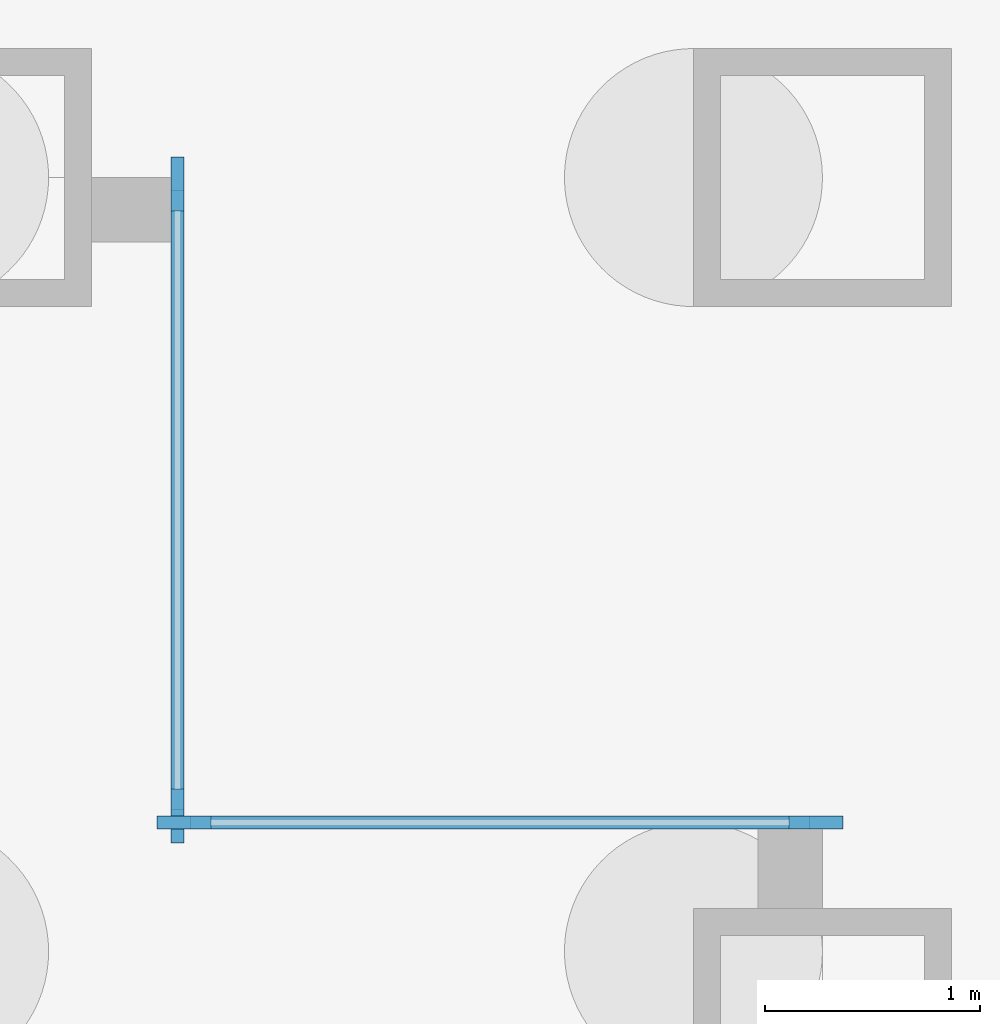
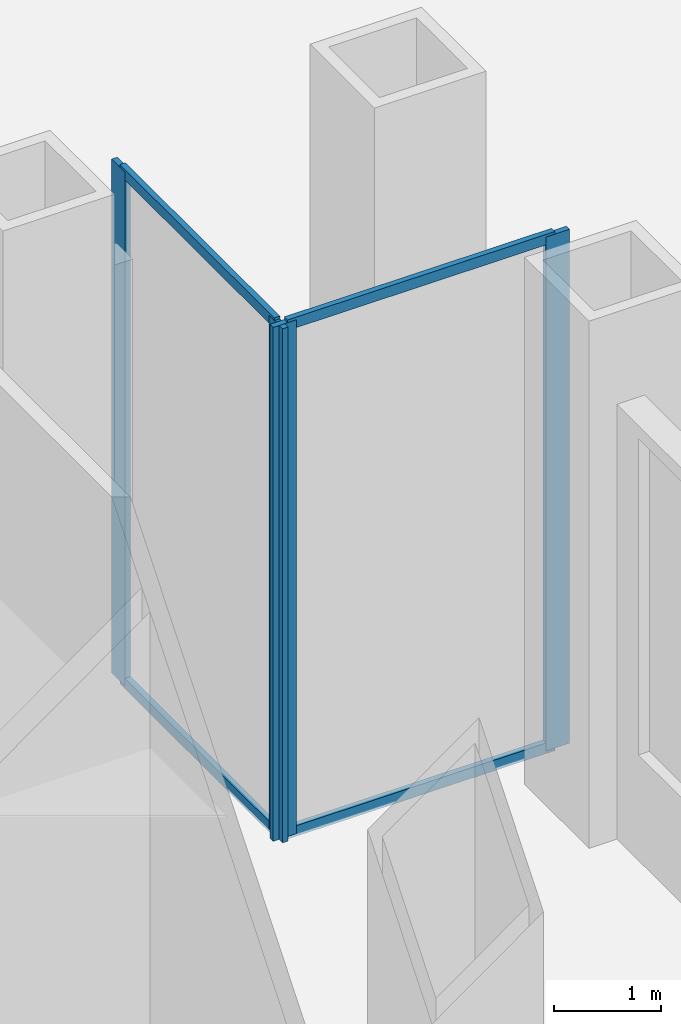
# One storey, part 10 of 17: 8 members, 2 elements without a shape of their own.
"""IFC4 building model written with IfcOpenShell, lengths in metres."""

from ifc_helpers import new_model, si_unit, direction, frame, origin, origin_2d, place, context, subcontext, project, spatial, rectangle, extrude, material, material_profile, profile_set, type_object, element, aggregate, save


model = new_model("IFC4")

# Units and contexts
model_context = context("Model", 3, precision=1e-05, world=origin(), true_north=direction((0.0, 1.0)))
body_context = subcontext(model_context, "Body", "Model", "MODEL_VIEW")
ifc_project = project(units=[si_unit("LENGTHUNIT", "METRE"), si_unit("AREAUNIT", "SQUARE_METRE"), si_unit("VOLUMEUNIT", "CUBIC_METRE"), si_unit("PLANEANGLEUNIT", "RADIAN"), si_unit("MASSUNIT", "GRAM", prefix="KILO")], contexts=[model_context])

# Site, building, storey
site_placement = place(None, origin())
site = spatial("IfcSite", under=ifc_project, at=site_placement, CompositionType="ELEMENT")
building_placement = place(site_placement, origin())
building = spatial("IfcBuilding", under=site, at=building_placement, Name="Rimbunsela Tower", CompositionType="ELEMENT")
storey_placement = place(building_placement, origin())
storey = spatial("IfcBuildingStorey", under=building, at=storey_placement, Name="L00", CompositionType="ELEMENT", Elevation=0.0)

# Curtain wall, members
ifc_material_1 = material(Name="Aluminium curtain wall", Category="aluminium")
curtain_wall_type = type_object("IfcCurtainWallType", Name="Corner glazing", PredefinedType="USERDEFINED", material=ifc_material_1)
curtain_wall_1_placement = place(storey_placement, origin())
curtain_wall_1 = element("IfcCurtainWall", 1, at=curtain_wall_1_placement, inside=storey, type_object=curtain_wall_type, Name="Corner glazing L00", ObjectType="CORNER GLAZING", PredefinedType="USERDEFINED")
ifc_material_2 = material(Name="Aluminium mullion", Category="aluminium")
ifc_material_profile_1 = material_profile(ifc_material_2, rectangle(XDim=0.06005859375, YDim=0.25, at=origin_2d()), Name="Mullion 60x250")
ifc_profile_set_1 = profile_set([ifc_material_profile_1], Name="Aluminium mullion")
member_type_1 = type_object("IfcMemberType", Name="Curtain wall mullion 60x250", PredefinedType="MULLION", material=ifc_profile_set_1)
member_1_placement = place(storey_placement, frame((49.969970703125, 41.0, 0.0), z_axis=(0.0, 0.0, 1.0), x_axis=(0.0, -1.0, 0.0)))
member_1 = element("IfcMember", 2, at=member_1_placement, type_object=member_type_1, Name="CW5 mullion 1", PredefinedType="MULLION", context=body_context, shape_type="SweptSolid", body=[
    extrude(rectangle(XDim=0.06005859375, YDim=0.25, at=origin_2d()), origin(), (0.0, 0.0, 1.0), 5.85009765625),
])
member_2_placement = place(storey_placement, frame((47.030029296875, 41.0, 0.0), z_axis=(0.0, 0.0, 1.0), x_axis=(0.0, -1.0, 0.0)))
member_2 = element("IfcMember", 3, at=member_2_placement, type_object=member_type_1, Name="CW5 mullion 2", PredefinedType="MULLION", context=body_context, shape_type="SweptSolid", body=[
    extrude(rectangle(XDim=0.06005859375, YDim=0.25, at=origin_2d()), origin(), (0.0, 0.0, 1.0), 5.85009765625),
])

curtain_wall_2_placement = place(storey_placement, origin())
curtain_wall_2 = element("IfcCurtainWall", 4, at=curtain_wall_2_placement, inside=storey, type_object=curtain_wall_type, Name="Corner glazing L00", ObjectType="CORNER GLAZING", PredefinedType="USERDEFINED")
member_3_placement = place(storey_placement, frame((47.0, 41.030029296875, 0.0), z_axis=(0.0, 0.0, 1.0), x_axis=(-1.0, 0.0, 0.0)))
member_3 = element("IfcMember", 5, at=member_3_placement, type_object=member_type_1, Name="CW5 mullion 1", PredefinedType="MULLION", context=body_context, shape_type="SweptSolid", body=[
    extrude(rectangle(XDim=0.06005859375, YDim=0.25, at=origin_2d()), origin(), (0.0, 0.0, 1.0), 5.85009765625),
])
member_4_placement = place(storey_placement, frame((47.0, 43.969970703125, 0.0), z_axis=(0.0, 0.0, 1.0), x_axis=(-1.0, 0.0, 0.0)))
member_4 = element("IfcMember", 6, at=member_4_placement, type_object=member_type_1, Name="CW5 mullion 2", PredefinedType="MULLION", context=body_context, shape_type="SweptSolid", body=[
    extrude(rectangle(XDim=0.06005859375, YDim=0.25, at=origin_2d()), origin(), (0.0, 0.0, 1.0), 5.85009765625),
])

# Member
ifc_material_3 = material(Name="Aluminium transom", Category="aluminium")
ifc_material_profile_2 = material_profile(ifc_material_3, rectangle(XDim=0.06005859375, YDim=0.1201171875, at=origin_2d()), Name="Transom 60x120")
ifc_profile_set_2 = profile_set([ifc_material_profile_2], Name="Aluminium transom")
member_type_2 = type_object("IfcMemberType", Name="Curtain wall transom 60x120", PredefinedType="USERDEFINED", material=ifc_profile_set_2)
member_5_placement = place(storey_placement, frame((49.93994140625, 41.0, 0.030029296875), z_axis=(-1.0, 0.0, 0.0), x_axis=(0.0, -1.0, 0.0)))
member_5 = element("IfcMember", 7, at=member_5_placement, type_object=member_type_2, Name="CW5 transom 1.1", ObjectType="TRANSOM", PredefinedType="USERDEFINED", context=body_context, shape_type="SweptSolid", body=[
    extrude(rectangle(XDim=0.06005859375, YDim=0.1201171875, at=origin_2d()), origin(), (0.0, 0.0, 1.0), 2.8798828125),
])

member_6_placement = place(storey_placement, frame((49.93994140625, 41.0, 5.820068359375), z_axis=(-1.0, 0.0, 0.0), x_axis=(0.0, -1.0, 0.0)))
member_6 = element("IfcMember", 8, at=member_6_placement, type_object=member_type_2, Name="CW5 transom 1.2", ObjectType="TRANSOM", PredefinedType="USERDEFINED", context=body_context, shape_type="SweptSolid", body=[
    extrude(rectangle(XDim=0.06005859375, YDim=0.1201171875, at=origin_2d()), origin(), (0.0, 0.0, 1.0), 2.8798828125),
])

aggregate(curtain_wall_1, [member_1, member_2, member_5, member_6])

member_7_placement = place(storey_placement, frame((47.0, 41.06005859375, 0.030029296875), z_axis=(0.0, 1.0, 0.0), x_axis=(-1.0, 0.0, 0.0)))
member_7 = element("IfcMember", 9, at=member_7_placement, type_object=member_type_2, Name="CW5 transom 1.1", ObjectType="TRANSOM", PredefinedType="USERDEFINED", context=body_context, shape_type="SweptSolid", body=[
    extrude(rectangle(XDim=0.06005859375, YDim=0.1201171875, at=origin_2d()), origin(), (0.0, 0.0, 1.0), 2.8798828125),
])

member_8_placement = place(storey_placement, frame((47.0, 41.06005859375, 5.820068359375), z_axis=(0.0, 1.0, 0.0), x_axis=(-1.0, 0.0, 0.0)))
member_8 = element("IfcMember", 10, at=member_8_placement, type_object=member_type_2, Name="CW5 transom 1.2", ObjectType="TRANSOM", PredefinedType="USERDEFINED", context=body_context, shape_type="SweptSolid", body=[
    extrude(rectangle(XDim=0.06005859375, YDim=0.1201171875, at=origin_2d()), origin(), (0.0, 0.0, 1.0), 2.8798828125),
])

aggregate(curtain_wall_2, [member_3, member_4, member_7, member_8])

save(model, "model.ifc")
